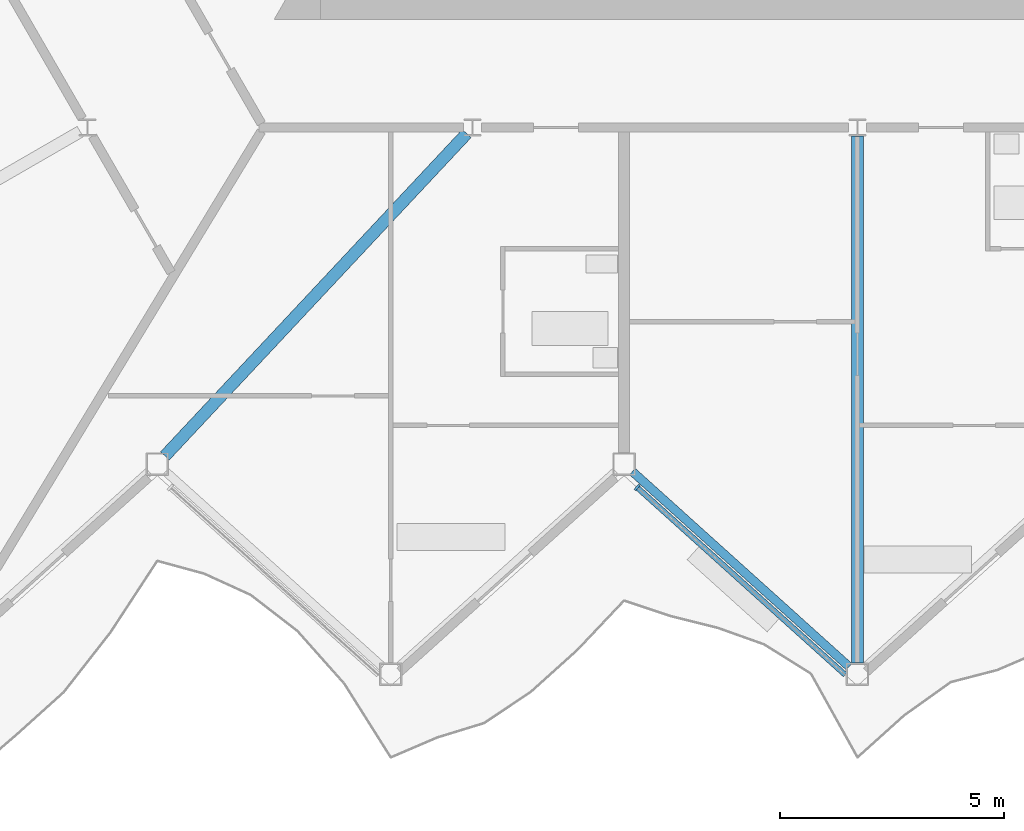
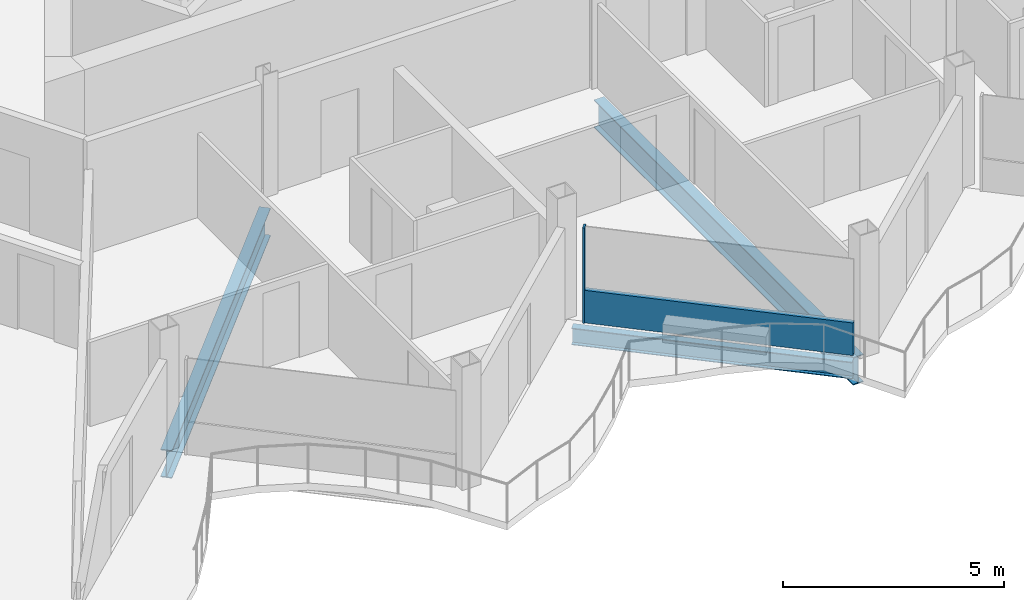
# One storey, part 5 of 25: 3 beams, 2 members, 1 element without a shape of its own.
"""IFC4 building model written with IfcOpenShell, lengths in metres."""

from ifc_helpers import new_model, si_unit, direction, frame, origin, origin_2d, place, context, subcontext, project, spatial, rectangle, i_section, extrude, material, layer, layer_set, material_profile, profile_set, type_object, element, aggregate, save


model = new_model("IFC4")

# Units and contexts
model_context = context("Model", 3, precision=1e-05, world=origin(), true_north=direction((0.0, 1.0)))
body_context = subcontext(model_context, "Body", "Model", "MODEL_VIEW")
ifc_project = project(units=[si_unit("LENGTHUNIT", "METRE"), si_unit("AREAUNIT", "SQUARE_METRE"), si_unit("VOLUMEUNIT", "CUBIC_METRE"), si_unit("PLANEANGLEUNIT", "RADIAN"), si_unit("MASSUNIT", "GRAM", prefix="KILO")], contexts=[model_context])

# Site, building, storey
site_placement = place(None, origin())
site = spatial("IfcSite", under=ifc_project, at=site_placement, CompositionType="ELEMENT")
building_placement = place(site_placement, origin())
building = spatial("IfcBuilding", under=site, at=building_placement, Name="Cormorant Prow Tower", CompositionType="ELEMENT")
storey_placement = place(building_placement, frame((0.0, 0.0, 391.60009765625)))
storey = spatial("IfcBuildingStorey", under=building, at=storey_placement, Name="L89", CompositionType="ELEMENT", Elevation=391.60009765625)

# Beams
ifc_material_1 = material(Name="Structural steel ASTM A992 Gr 50", Category="steel")
ifc_material_profile_1 = material_profile(ifc_material_1, i_section(OverallWidth=0.267822265625, OverallDepth=0.77001953125, WebThickness=0.015625, FlangeThickness=0.025390625, at=origin_2d()), Name="W30x132")
ifc_profile_set_1 = profile_set([ifc_material_profile_1], Name="Structural steel ASTM A992 Gr 50")
beam_type_1 = type_object("IfcBeamType", Name="Radial floor beam W30x132", PredefinedType="BEAM", material=ifc_profile_set_1)
beam_1_placement = place(storey_placement, frame((-8.706298828125, -10.0419921875, -0.68505859375), z_axis=(-0.683430760659, -0.730015339144, 0.0), x_axis=(0.730015339144, -0.683430760659, 0.0)))
element("IfcBeam", 1, at=beam_1_placement, inside=storey, type_object=beam_type_1, Name="Radial floor beam FB3 6 L89", PredefinedType="BEAM", context=body_context, shape_type="SweptSolid", body=[
    extrude(i_section(OverallWidth=0.267822265625, OverallDepth=0.77001953125, WebThickness=0.015625, FlangeThickness=0.025390625, at=origin_2d()), origin(), (0.0, 0.0, 1.0), 9.8369140625),
])
beam_2_placement = place(storey_placement, frame((0.0, -10.092529296875, -0.68505859375), z_axis=(0.0, -1.0, 0.0), x_axis=(1.0, 0.0, 0.0)))
element("IfcBeam", 2, at=beam_2_placement, inside=storey, type_object=beam_type_1, Name="Radial floor beam FB3 7 L89", PredefinedType="BEAM", context=body_context, shape_type="SweptSolid", body=[
    extrude(i_section(OverallWidth=0.267822265625, OverallDepth=0.77001953125, WebThickness=0.015625, FlangeThickness=0.025390625, at=origin_2d()), origin(), (0.0, 0.0, 1.0), 11.745361328125),
])

# Curtain wall, members
ifc_material_2 = material(Name="Aluminium 6063-T6", Category="aluminium")
ifc_layer = layer(ifc_material_2, 0.159912109375)
ifc_layer_set = layer_set([ifc_layer], Name="Aluminium 6063-T6")
curtain_wall_type = type_object("IfcCurtainWallType", Name="Residential unitised curtain wall 160", PredefinedType="NOTDEFINED", material=ifc_layer_set)
curtain_wall_placement = place(storey_placement, origin())
curtain_wall = element("IfcCurtainWall", 3, at=curtain_wall_placement, inside=storey, type_object=curtain_wall_type, Name="Residential curtain wall S04", PredefinedType="NOTDEFINED")
ifc_material_3 = material(Name="Aluminium 6063-T6", Category="aluminium")
ifc_material_profile_2 = material_profile(ifc_material_3, rectangle(XDim=0.159912109375, YDim=0.050048828125, at=origin_2d()), Name="Residential mullion 50x160")
ifc_profile_set_2 = profile_set([ifc_material_profile_2], Name="Aluminium 6063-T6")
member_type_1 = type_object("IfcMemberType", Name="Residential mullion 50x160", PredefinedType="MULLION", material=ifc_profile_set_2)
member_1_placement = place(storey_placement, frame((-4.909423828125, -17.926513671875, 0.0), z_axis=(0.0, 0.0, 1.0), x_axis=(0.669130603959, 0.743144827638, 0.0)))
member_1 = element("IfcMember", 4, at=member_1_placement, type_object=member_type_1, Name="Residential mullion S04", PredefinedType="MULLION", context=body_context, shape_type="SweptSolid", body=[
    extrude(rectangle(XDim=0.159912109375, YDim=0.050048828125, at=origin_2d()), origin(), (0.0, 0.0, 1.0), 2.6337890625),
])
ifc_material_4 = material(Name="Terracotta", Category="masonry")
ifc_material_profile_3 = material_profile(ifc_material_4, rectangle(XDim=0.1201171875, YDim=0.89990234375, at=origin_2d()), Name="Residential terracotta spandrel rail 120x900")
ifc_profile_set_3 = profile_set([ifc_material_profile_3], Name="Terracotta")
member_type_2 = type_object("IfcMemberType", Name="Residential terracotta spandrel rail 120x900", PredefinedType="USERDEFINED", material=ifc_profile_set_3)
member_2_placement = place(storey_placement, frame((-4.890869140625, -17.943115234375, 0.449951171875), z_axis=(0.743139827378, -0.669136157269, 0.0), x_axis=(0.669136157269, 0.743139827378, 0.0)))
member_2 = element("IfcMember", 5, at=member_2_placement, type_object=member_type_2, Name="Residential spandrel rail S04", ObjectType="TRANSOM", PredefinedType="USERDEFINED", context=body_context, shape_type="SweptSolid", body=[
    extrude(rectangle(XDim=0.1201171875, YDim=0.89990234375, at=origin_2d()), origin(), (0.0, 0.0, 1.0), 6.21533203125),
])
aggregate(curtain_wall, [member_1, member_2])

# Beam
ifc_material_5 = material(Name="Structural steel ASTM A992 Gr 50", Category="steel")
ifc_material_profile_4 = material_profile(ifc_material_5, i_section(OverallWidth=0.19287109375, OverallDepth=0.466064453125, WebThickness=0.011474609375, FlangeThickness=0.01904296875, at=origin_2d()), Name="W18x65")
ifc_profile_set_4 = profile_set([ifc_material_profile_4], Name="Structural steel ASTM A992 Gr 50")
beam_type_2 = type_object("IfcBeamType", Name="Spandrel beam W18x65", PredefinedType="SPANDREL", material=ifc_profile_set_4)
beam_3_placement = place(storey_placement, frame((-5.01416015625, -17.572998046875, -0.533203125), z_axis=(0.743131573737, -0.669145323614, 0.0), x_axis=(0.669145323614, 0.743131573737, 0.0)))
element("IfcBeam", 6, at=beam_3_placement, inside=storey, type_object=beam_type_2, Name="Spandrel beam SB4 S04-S05 L89", PredefinedType="SPANDREL", context=body_context, shape_type="SweptSolid", body=[
    extrude(i_section(OverallWidth=0.19287109375, OverallDepth=0.466064453125, WebThickness=0.011474609375, FlangeThickness=0.01904296875, at=origin_2d()), origin(), (0.0, 0.0, 1.0), 6.497314453125),
])

save(model, "model.ifc")
